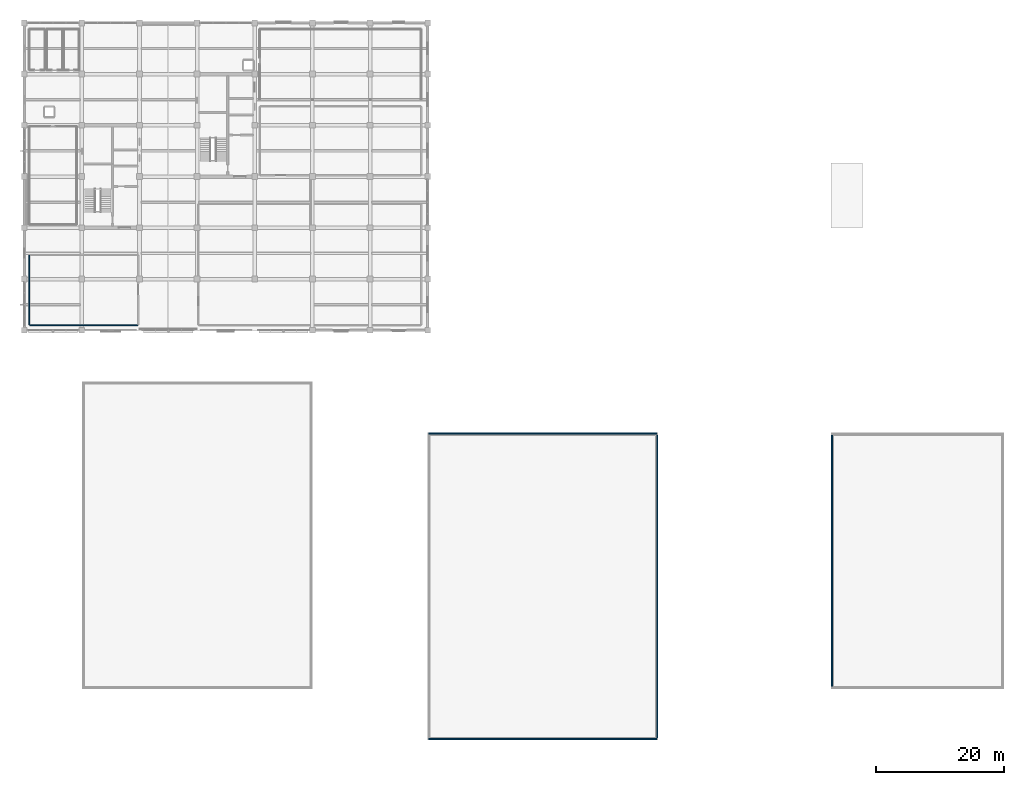
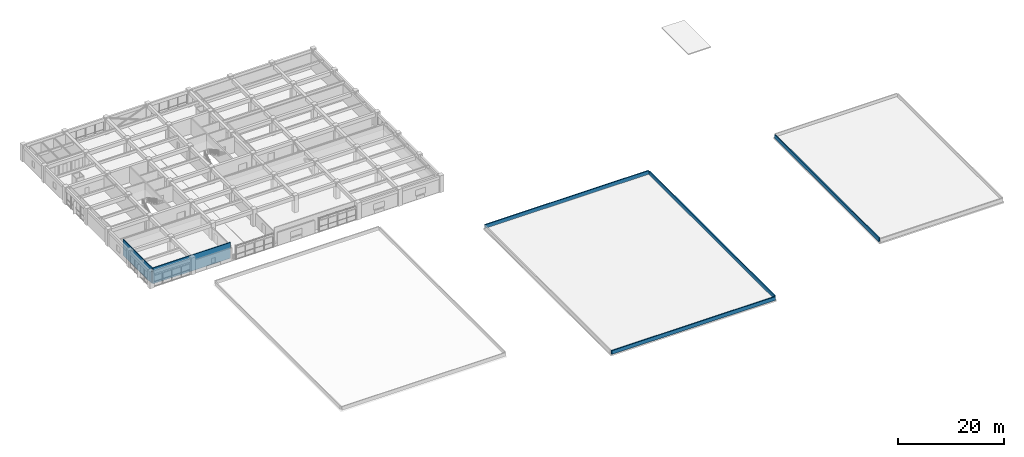
# One storey, part 15 of 23: 6 walls.
"""IFC4 building model written with IfcOpenShell, lengths in metres."""

from ifc_helpers import new_model, si_unit, direction, frame, frame_2d, origin, place, context, subcontext, project, spatial, rectangle, extrude, material, layer, layer_set, type_object, element, save


model = new_model("IFC4")

# Units and contexts
model_context = context("Model", 3, precision=1e-05, world=origin(), true_north=direction((0.0, 1.0)))
body_context = subcontext(model_context, "Body", "Model", "MODEL_VIEW")
ifc_project = project(units=[si_unit("LENGTHUNIT", "METRE"), si_unit("AREAUNIT", "SQUARE_METRE"), si_unit("VOLUMEUNIT", "CUBIC_METRE"), si_unit("PLANEANGLEUNIT", "RADIAN"), si_unit("MASSUNIT", "GRAM", prefix="KILO")], contexts=[model_context])

# Site, building, storey
site_placement = place(None, origin())
site = spatial("IfcSite", under=ifc_project, at=site_placement, CompositionType="ELEMENT")
building_placement = place(site_placement, origin())
building = spatial("IfcBuilding", under=site, at=building_placement, Name="Zaverband Oceanarium and Marine Research Institute", CompositionType="ELEMENT")
storey_placement = place(building_placement, frame((0.0, 0.0, 21.89990234375)))
storey = spatial("IfcBuildingStorey", under=building, at=storey_placement, Name="L05", CompositionType="ELEMENT", Elevation=21.89990234375)

# Walls
ifc_material_1 = material(Name="Concrete C40/50", Category="concrete")
ifc_layer_1 = layer(ifc_material_1, 0.22998046875, Name="Concrete C40/50")
ifc_layer_set_1 = layer_set([ifc_layer_1], Name="Concrete C40/50")
wall_type_1 = type_object("IfcWallType", Name="PAR-230", PredefinedType="PARAPET", material=ifc_layer_set_1)
for number, where, z_axis, x_axis, name in (
    (1, (72.199951171875, 0.14990234375, 1.2001953125), (0.0, 0.0, 1.0), (1.0, 0.0, 0.0), "Roof parapet upstand PAR-230"),
    (2, (72.199951171875, 47.85009765625, 1.2001953125), (0.0, 0.0, 1.0), (1.0, 0.0, 0.0), "Roof parapet upstand PAR-230"),
):
    element("IfcWall", number, at=place(storey_placement, frame(where, z_axis=z_axis, x_axis=x_axis)), inside=storey, type_object=wall_type_1, Name=name, PredefinedType="PARAPET", context=body_context, shape_type="SweptSolid", body=[
        extrude(rectangle(XDim=35.60009765625, YDim=0.22998046875, at=frame_2d((17.800048828125, 0.0))), origin(), (0.0, 0.0, 1.0), 0.849853515625),
    ])
wall_1_placement = place(storey_placement, frame((107.85009765625, 0.39990234375, 1.2001953125), z_axis=(0.0, 0.0, 1.0), x_axis=(0.0, 1.0, 0.0)))
element("IfcWall", 3, at=wall_1_placement, inside=storey, type_object=wall_type_1, Name="Roof parapet upstand PAR-230", PredefinedType="PARAPET", context=body_context, shape_type="SweptSolid", body=[
    extrude(rectangle(XDim=47.2001953125, YDim=0.22998046875, at=frame_2d((23.60009765625, 0.0))), origin(), (0.0, 0.0, 1.0), 0.849853515625),
])
wall_2_placement = place(storey_placement, frame((135.14990234375, 8.39990234375, 0.0), z_axis=(0.0, 0.0, 1.0), x_axis=(0.0, 1.0, 0.0)))
element("IfcWall", 4, at=wall_2_placement, inside=storey, type_object=wall_type_1, Name="Roof parapet upstand PAR-230", PredefinedType="PARAPET", context=body_context, shape_type="SweptSolid", body=[
    extrude(rectangle(XDim=39.2001953125, YDim=0.22998046875, at=frame_2d((19.60009765625, 0.0))), origin(), (0.0, 0.0, 1.0), 0.85009765625),
])
ifc_material_2 = material(Name="Moisture-resistant laboratory blockwork", Category="masonry")
ifc_layer_2 = layer(ifc_material_2, 0.179931640625, Name="Moisture-resistant laboratory blockwork")
ifc_layer_set_2 = layer_set([ifc_layer_2], Name="Moisture-resistant laboratory blockwork")
wall_type_2 = type_object("IfcWallType", Name="PT-180-LB", PredefinedType="PARTITIONING", material=ifc_layer_set_2)
wall_3_placement = place(storey_placement, frame((9.889892578125, 64.800048828125, 0.0), z_axis=(0.0, 0.0, 1.0), x_axis=(1.0, 0.0, 0.0)))
element("IfcWall", 5, at=wall_3_placement, inside=storey, type_object=wall_type_2, Name="Internal partition PT-180-LB", PredefinedType="PARTITIONING", context=body_context, shape_type="SweptSolid", body=[
    extrude(rectangle(XDim=16.820068359375, YDim=0.179931640625, at=frame_2d((8.41015625, 0.0))), origin(), (0.0, 0.0, 1.0), 3.650146484375),
])
wall_4_placement = place(storey_placement, frame((9.800048828125, 64.889892578125, 0.0), z_axis=(0.0, 0.0, 1.0), x_axis=(0.0, 1.0, 0.0)))
element("IfcWall", 6, at=wall_4_placement, inside=storey, type_object=wall_type_2, Name="Internal partition PT-180-LB", PredefinedType="PARTITIONING", context=body_context, shape_type="SweptSolid", body=[
    extrude(rectangle(XDim=10.820068359375, YDim=0.179931640625, at=frame_2d((5.41015625, 0.0))), origin(), (0.0, 0.0, 1.0), 3.650146484375),
])

save(model, "model.ifc")
